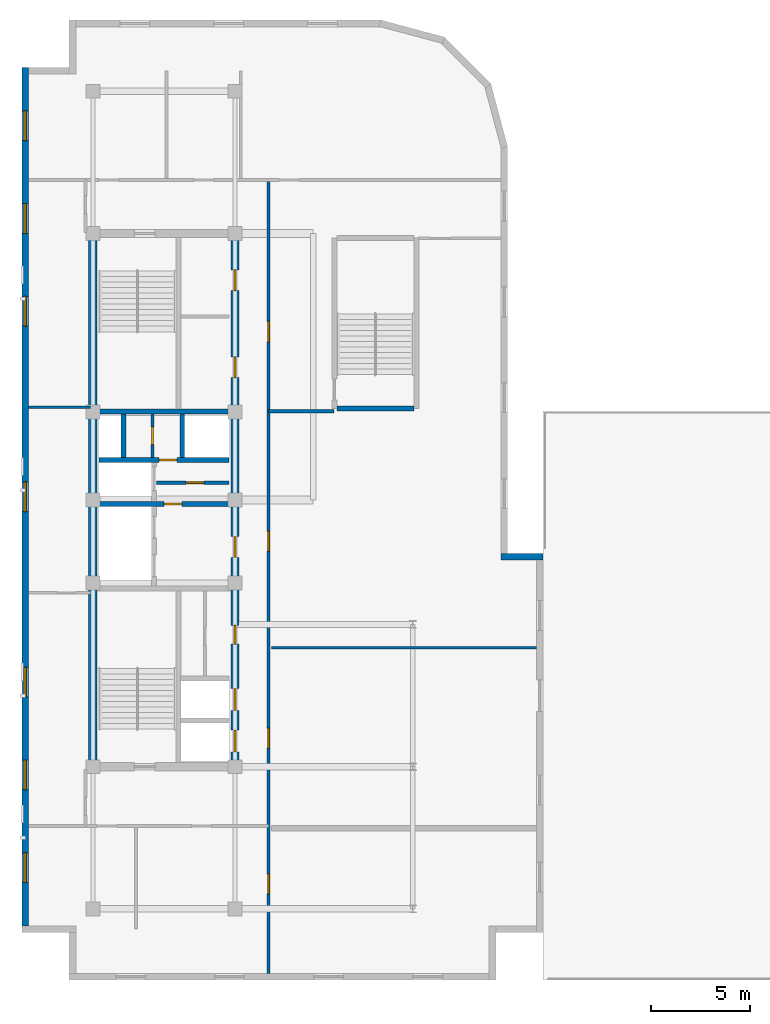
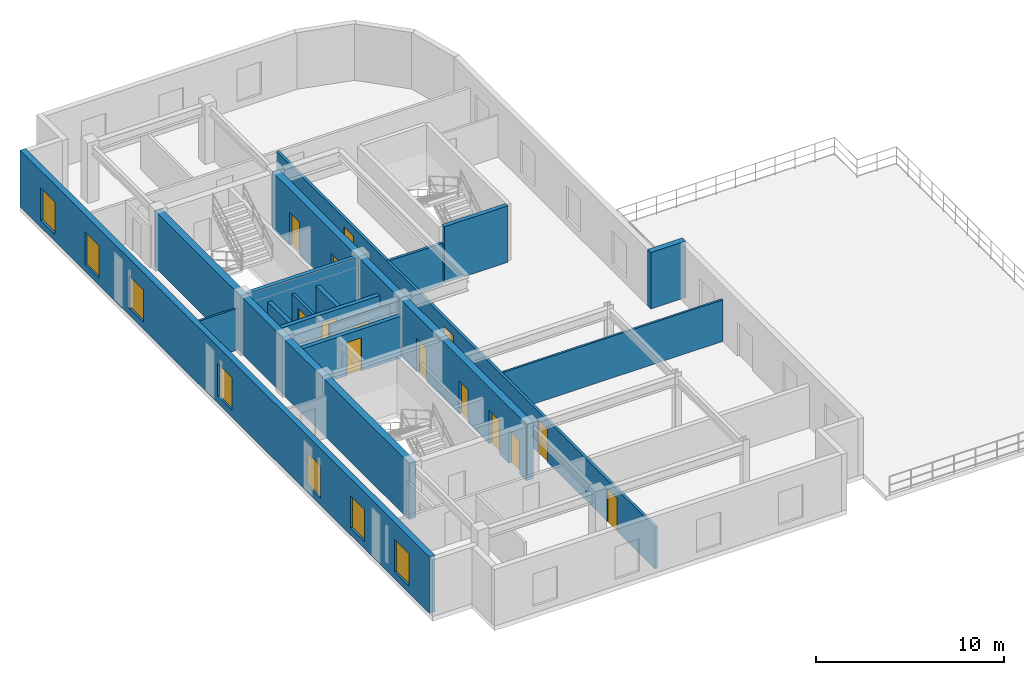
# One storey, part 3 of 7: 17 walls, 14 doors, 7 windows, 21 openings.
"""IFC4 building model written with IfcOpenShell, lengths in metres."""

import ifcopenshell
import ifcopenshell.guid

model = None  # the IFC model being written
_history = None  # IfcOwnerHistory: only IFC2X3 demands one
_inside = {}  # id of a spatial element -> (the spatial element, [elements in it])
_under = {}  # id of a project, library or spatial element -> (it, [spatial elements below it])
_declared = {}  # id of a project -> (the project, [libraries it declares])
_typed = {}  # id of a type object -> (the type object, [elements of that type])
_made_of = {}  # id of a material, layer set ... -> (it, [elements and type objects made of it])


def new_model(schema):
    """Start an empty IFC model of exactly this schema.

    Asked for "IFC4X3", IfcOpenShell would pick the latest addendum, in which some entities
    have other attributes; the version numbers below select the first issue.
    IFC2X3 requires an IfcOwnerHistory on every rooted entity: one is made here for all.
    """
    global model, _history
    if schema == "IFC4X3":
        model = ifcopenshell.file(schema_version=(4, 3, 0, 0))
    else:
        model = ifcopenshell.file(schema=schema)
    _inside.clear()
    _under.clear()
    _declared.clear()
    _typed.clear()
    _made_of.clear()
    _history = None
    if model.schema == "IFC2X3":
        org = make("IfcOrganization", Name="unknown")
        user = make(
            "IfcPersonAndOrganization",
            ThePerson=make("IfcPerson", FamilyName="unknown"),
            TheOrganization=org,
        )
        app = make(
            "IfcApplication",
            ApplicationDeveloper=org,
            Version="unknown",
            ApplicationFullName="unknown",
            ApplicationIdentifier="unknown",
        )
        _history = make(
            "IfcOwnerHistory",
            OwningUser=user,
            OwningApplication=app,
            ChangeAction="ADDED",
            CreationDate=0,
        )
    return model


def make(cls, **values):
    """One entity of the class cls with the attributes given. An attribute that is None is left unset."""
    return model.create_entity(
        cls, **{name: value for name, value in values.items() if value is not None}
    )


def entity(cls, *values):
    """Any entity or typed value of the class cls, its attributes in the order of the schema. None: left unset."""
    e = model.create_entity(cls)
    for i, value in enumerate(values):
        if value is not None:
            e[i] = value
    return e


def rooted(cls, **values):
    """An entity with a GlobalId (a new one), such as an element, a storey or a relation."""
    return make(cls, GlobalId=ifcopenshell.guid.new(), OwnerHistory=_history, **values)


def si_unit(unit_type, name, prefix=None):
    """IfcSIUnit, for example si_unit("LENGTHUNIT", "METRE", prefix="MILLI")."""
    return make("IfcSIUnit", UnitType=unit_type, Prefix=prefix, Name=name)


def converted_unit(unit_type, name, factor, base, dimensions=None, offset=None):
    """IfcConversionBasedUnit, such as the inch: factor (a typed value) times the base unit."""
    return make(
        "IfcConversionBasedUnit"
        if offset is None
        else "IfcConversionBasedUnitWithOffset",
        ConversionOffset=offset,
        Dimensions=None
        if dimensions is None
        else entity("IfcDimensionalExponents", *dimensions),
        UnitType=unit_type,
        Name=name,
        ConversionFactor=make(
            "IfcMeasureWithUnit", ValueComponent=factor, UnitComponent=base
        ),
    )


def assignment(units):
    """IfcUnitAssignment: the units of a project."""
    return None if units is None else make("IfcUnitAssignment", Units=units)


def point(xyz):
    """IfcCartesianPoint."""
    return None if xyz is None else make("IfcCartesianPoint", Coordinates=xyz)


def direction(xyz):
    """IfcDirection."""
    return None if xyz is None else make("IfcDirection", DirectionRatios=xyz)


def frame(location, z_axis=None, x_axis=None):
    """IfcAxis2Placement3D, a coordinate frame: its origin and axes. An axis left out is left unset."""
    return make(
        "IfcAxis2Placement3D",
        Location=point(location),
        Axis=direction(z_axis),
        RefDirection=direction(x_axis),
    )


def frame_2d(location, x_axis=None):
    """IfcAxis2Placement2D, a coordinate frame in the plane: its origin and x axis."""
    return make(
        "IfcAxis2Placement2D", Location=point(location), RefDirection=direction(x_axis)
    )


def origin_with_axes():
    """The frame at (0, 0, 0) with the z axis (0, 0, 1) and the x axis (1, 0, 0) written out."""
    return frame((0.0, 0.0, 0.0), z_axis=(0.0, 0.0, 1.0), x_axis=(1.0, 0.0, 0.0))


def origin_2d_with_axis():
    """The frame at (0, 0) in the plane with the x axis (1, 0) written out."""
    return frame_2d((0.0, 0.0), x_axis=(1.0, 0.0))


def place(relative_to, where):
    """IfcLocalPlacement: puts the frame where relative to a parent placement (None: the world)."""
    return make(
        "IfcLocalPlacement", PlacementRelTo=relative_to, RelativePlacement=where
    )


def context(
    kind, dimensions, precision=None, world=None, true_north=None, identifier=None
):
    """IfcGeometricRepresentationContext, for example the 3D "Model" context."""
    return make(
        "IfcGeometricRepresentationContext",
        ContextIdentifier=identifier,
        ContextType=kind,
        CoordinateSpaceDimension=dimensions,
        Precision=precision,
        WorldCoordinateSystem=world,
        TrueNorth=true_north,
    )


def subcontext(parent, identifier, kind, view, scale=None):
    """IfcGeometricRepresentationSubContext, for example "Body" below "Model"."""
    return make(
        "IfcGeometricRepresentationSubContext",
        ContextIdentifier=identifier,
        ContextType=kind,
        ParentContext=parent,
        TargetScale=scale,
        TargetView=view,
    )


def project(units=None, contexts=None):
    """IfcProject with its units and contexts."""
    return rooted(
        "IfcProject",
        Name="project",
        RepresentationContexts=contexts,
        UnitsInContext=assignment(units),
    )


def spatial(cls, under=None, at=None, **own):
    """A site, building, storey or space (cls), placed at a placement, below another one or the project."""
    s = rooted(cls, ObjectPlacement=at, **own)
    if under is not None:
        _under.setdefault(under.id(), (under, []))[1].append(s)
    return s


def polyline(points):
    """IfcPolyline through the points."""
    return make("IfcPolyline", Points=[point(p) for p in points])


def profile(cls, at=None, kind="AREA", **sizes):
    """A parametric profile (cls). Its sizes go by their IFC names, for example OverallWidth=200.0."""
    return make(cls, ProfileType=kind, Position=at, **sizes)


def rectangle(**sizes):
    """IfcRectangleProfileDef."""
    return profile("IfcRectangleProfileDef", **sizes)


def outline(outer, holes=None, kind="AREA"):
    """IfcArbitraryClosedProfileDef: a profile drawn as a closed curve; with holes, ...WithVoids."""
    if holes is None:
        return make("IfcArbitraryClosedProfileDef", ProfileType=kind, OuterCurve=outer)
    return make(
        "IfcArbitraryProfileDefWithVoids",
        ProfileType=kind,
        OuterCurve=outer,
        InnerCurves=holes,
    )


def extrude(swept, where, along, depth):
    """IfcExtrudedAreaSolid: the profile swept, set in the frame where, extruded along a direction by depth."""
    return make(
        "IfcExtrudedAreaSolid",
        SweptArea=swept,
        Position=where,
        ExtrudedDirection=direction(along),
        Depth=depth,
    )


def shape(context_of_items, identifier, shape_type, items):
    """IfcShapeRepresentation: the items that make up one representation, for example the "Body"."""
    return make(
        "IfcShapeRepresentation",
        ContextOfItems=context_of_items,
        RepresentationIdentifier=identifier,
        RepresentationType=shape_type,
        Items=items,
    )


def material(Name=None, Category=None):
    """IfcMaterial."""
    return make("IfcMaterial", Name=Name, Category=Category)


def layer(
    of_material, thickness, ventilated=None, Name=None, Category=None, Priority=None
):
    """IfcMaterialLayer: one layer of a wall or slab, of a material (None: an air gap)."""
    return make(
        "IfcMaterialLayer",
        Material=of_material,
        LayerThickness=thickness,
        IsVentilated=ventilated,
        Name=Name,
        Category=Category,
        Priority=Priority,
    )


def layer_set(layers, Name=None):
    """IfcMaterialLayerSet."""
    return make("IfcMaterialLayerSet", MaterialLayers=layers, LayerSetName=Name)


def made_of(thing, what):
    """Note that an element or type object is made of a material, layer set ...; save() writes the relation."""
    if what is not None:
        _made_of.setdefault(what.id(), (what, []))[1].append(thing)
    return thing


def type_object(cls, material=None, **own):
    """A type object (cls), such as IfcWallType, which elements share."""
    return made_of(rooted(cls, **own), material)


def element(
    cls,
    number,
    at=None,
    inside=None,
    cuts=None,
    type_object=None,
    material=None,
    context=None,
    identifier="Body",
    shape_type=None,
    held_by="IfcProductDefinitionShape",
    body=None,
    shapes=None,
    **own,
):
    """One element of the class cls, such as IfcWall. Its Tag is "e" and its number.

    at: its placement. inside: the storey or other place that contains it. cuts: it is an
    opening in that element (IfcRelVoidsElement). A single representation is given by context,
    identifier, shape_type and body (its items); several are given by shapes. held_by: the class
    of the entity that holds the representations. save() writes the other relations.
    """
    e = rooted(cls, Tag="e%d" % number, ObjectPlacement=at, **own)
    if body is not None:
        shapes = [shape(context, identifier, shape_type, body)]
    if shapes is not None:
        e.Representation = make(held_by, Representations=shapes)
    if inside is not None:
        _inside.setdefault(inside.id(), (inside, []))[1].append(e)
    if cuts is not None:
        rooted(
            "IfcRelVoidsElement", RelatingBuildingElement=cuts, RelatedOpeningElement=e
        )
    if type_object is not None:
        _typed.setdefault(type_object.id(), (type_object, []))[1].append(e)
    return made_of(e, material)


def fill(opening, filler):
    """IfcRelFillsElement: the door or window that sits in an opening."""
    return rooted(
        "IfcRelFillsElement",
        RelatingOpeningElement=opening,
        RelatedBuildingElement=filler,
    )


def aggregate(whole, parts):
    """IfcRelAggregates: a whole, such as a stair, and the parts it consists of."""
    return rooted("IfcRelAggregates", RelatingObject=whole, RelatedObjects=parts)


def save(model, path):
    """Write the relations noted so far, then the file.

    IfcRelAggregates (storeys below a building ...), IfcRelContainedInSpatialStructure (elements
    in a storey), IfcRelDefinesByType, IfcRelAssociatesMaterial and IfcRelDeclares: one each for
    every whole, place, type object, material and project.
    """
    for whole, parts in _under.values():
        aggregate(whole, parts)
    for where, things in _inside.values():
        rooted(
            "IfcRelContainedInSpatialStructure",
            RelatedElements=things,
            RelatingStructure=where,
        )
    for kind, things in _typed.values():
        rooted("IfcRelDefinesByType", RelatedObjects=things, RelatingType=kind)
    for what, things in _made_of.values():
        rooted("IfcRelAssociatesMaterial", RelatedObjects=things, RelatingMaterial=what)
    for by, libraries in _declared.values():
        rooted("IfcRelDeclares", RelatingContext=by, RelatedDefinitions=libraries)
    model.write(path)


model = new_model("IFC4")

# Units and contexts
model_context = context("Model", 3, precision=1e-05, world=origin_with_axes(), true_north=direction((0.0, 1.0)))
body_context = subcontext(model_context, "Body", "Model", "MODEL_VIEW")
ifc_project = project(units=[si_unit("LENGTHUNIT", "METRE"), si_unit("AREAUNIT", "SQUARE_METRE"), si_unit("VOLUMEUNIT", "CUBIC_METRE"), converted_unit("PLANEANGLEUNIT", "DEGREE", entity("IfcPlaneAngleMeasure", 0.017453292519943295), si_unit("PLANEANGLEUNIT", "RADIAN"), dimensions=[0, 0, 0, 0, 0, 0, 0]), si_unit("MASSUNIT", "GRAM", prefix="KILO"), si_unit("THERMODYNAMICTEMPERATUREUNIT", "KELVIN")], contexts=[model_context])

# Site, building, storey
site_placement = place(None, origin_with_axes())
site = spatial("IfcSite", under=ifc_project, at=site_placement, CompositionType="ELEMENT")
building_placement = place(site_placement, origin_with_axes())
building = spatial("IfcBuilding", under=site, at=building_placement, Name="Varnlund Millrace Tower", CompositionType="ELEMENT")
storey_placement = place(building_placement, frame((0.0, 0.0, 288.0), z_axis=(0.0, 0.0, 1.0), x_axis=(1.0, 0.0, 0.0)))
storey = spatial("IfcBuildingStorey", under=building, at=storey_placement, Name="L71", CompositionType="ELEMENT", Elevation=288.0)

# Wall
ifc_material_1 = material(Name="Concrete C60/75", Category="concrete")
ifc_layer_1 = layer(ifc_material_1, 0.42, Name="Concrete C60/75")
ifc_layer_set_1 = layer_set([ifc_layer_1], Name="Concrete C60/75")
wall_type_1 = type_object("IfcWallType", Name="Type-CoreWall-Shear-420-C60", PredefinedType="SHEAR", material=ifc_layer_set_1)
wall_1_placement = place(storey_placement, frame((11.4, 10.8, 0.0), z_axis=(0.0, 0.0, 1.0), x_axis=(0.0, 1.0, 0.0)))
element("IfcWall", 1, at=wall_1_placement, inside=storey, type_object=wall_type_1, Name="Type-CoreWall-Shear-420-C60", PredefinedType="SHEAR", context=body_context, shape_type="SweptSolid", body=[
    extrude(outline(polyline([(0.0, -0.21), (27.0, -0.21), (27.0, 0.21), (0.0, 0.21), (0.0, -0.21)])), origin_with_axes(), (0.0, 0.0, 1.0), 3.66),
])

# Wall, openings, doors
wall_2_placement = place(storey_placement, frame((18.6, 10.8, 0.0), z_axis=(0.0, 0.0, 1.0), x_axis=(0.0, 1.0, 0.0)))
wall_2 = element("IfcWall", 2, at=wall_2_placement, inside=storey, type_object=wall_type_1, Name="Type-CoreWall-Shear-420-C60", PredefinedType="SHEAR", context=body_context, shape_type="SweptSolid", body=[
    extrude(outline(polyline([(0.0, -0.21), (13.5, -0.21), (13.5, 0.21), (0.0, 0.21), (0.0, -0.21)])), origin_with_axes(), (0.0, 0.0, 1.0), 3.66),
])
opening_1_placement = place(wall_2_placement, frame((1.3, 0.0, 0.0), z_axis=(0.0, 0.0, 1.0), x_axis=(1.0, 0.0, 0.0)))
opening_1 = element("IfcOpeningElement", 3, at=opening_1_placement, cuts=wall_2, Name="Opening L71:LD-ELV-H1", PredefinedType="OPENING", context=body_context, shape_type="SweptSolid", body=[
    extrude(rectangle(XDim=1.1, YDim=0.44, at=origin_2d_with_axis()), origin_with_axes(), (0.0, 0.0, 1.0), 2.15),
])
opening_2_placement = place(wall_2_placement, frame((3.4, 0.0, 0.0), z_axis=(0.0, 0.0, 1.0), x_axis=(1.0, 0.0, 0.0)))
opening_2 = element("IfcOpeningElement", 4, at=opening_2_placement, cuts=wall_2, Name="Opening L71:LD-ELV-H2", PredefinedType="OPENING", context=body_context, shape_type="SweptSolid", body=[
    extrude(rectangle(XDim=1.1, YDim=0.44, at=origin_2d_with_axis()), origin_with_axes(), (0.0, 0.0, 1.0), 2.15),
])
opening_3_placement = place(wall_2_placement, frame((11.125, 0.0, 0.0), z_axis=(0.0, 0.0, 1.0), x_axis=(1.0, 0.0, 0.0)))
opening_3 = element("IfcOpeningElement", 5, at=opening_3_placement, cuts=wall_2, Name="Opening L71:DR-FFLOB-A", PredefinedType="OPENING", context=body_context, shape_type="SweptSolid", body=[
    extrude(rectangle(XDim=1.05, YDim=0.44, at=origin_2d_with_axis()), origin_with_axes(), (0.0, 0.0, 1.0), 2.15),
])
opening_4_placement = place(wall_2_placement, frame((6.675, 0.0, 0.0), z_axis=(0.0, 0.0, 1.0), x_axis=(1.0, 0.0, 0.0)))
opening_4 = element("IfcOpeningElement", 6, at=opening_4_placement, cuts=wall_2, Name="Opening L71:DR-RECL-S1B2", PredefinedType="OPENING", context=body_context, shape_type="SweptSolid", body=[
    extrude(rectangle(XDim=0.95, YDim=0.44, at=origin_2d_with_axis()), origin_with_axes(), (0.0, 0.0, 1.0), 2.15),
])
ifc_material_2 = material(Name="Smoke-barrier hollow steel fire door", Category="steel")
door_type_1 = type_object("IfcDoorType", Name="Type-FireDoor-Lobby-1050X2150", OperationType="NOTDEFINED", PredefinedType="DOOR", material=ifc_material_2)
door_1_placement = place(wall_2_placement, frame((11.125, 0.0, 0.0), z_axis=(0.0, 0.0, 1.0), x_axis=(1.0, 0.0, 0.0)))
door_1 = element("IfcDoor", 7, at=door_1_placement, inside=storey, type_object=door_type_1, Name="Type-FireDoor-Lobby-1050X2150", OperationType="SINGLE_SWING_LEFT", OverallHeight=2.15, OverallWidth=1.05, PredefinedType="DOOR", context=body_context, shape_type="SweptSolid", body=[
    extrude(rectangle(XDim=1.05, YDim=0.09, at=origin_2d_with_axis()), origin_with_axes(), (0.0, 0.0, 1.0), 2.15),
])
fill(opening_3, door_1)
ifc_material_3 = material(Name="Fire-rated hollow steel core service door", Category="steel")
door_type_2 = type_object("IfcDoorType", Name="Type-FireDoor-Service-950X2150", OperationType="NOTDEFINED", PredefinedType="DOOR", material=ifc_material_3)
door_2_placement = place(wall_2_placement, frame((6.675, 0.0, 0.0), z_axis=(0.0, 0.0, 1.0), x_axis=(1.0, 0.0, 0.0)))
door_2 = element("IfcDoor", 8, at=door_2_placement, inside=storey, type_object=door_type_2, Name="Type-FireDoor-Service-950X2150", OperationType="SINGLE_SWING_RIGHT", OverallHeight=2.15, OverallWidth=0.95, PredefinedType="DOOR", context=body_context, shape_type="SweptSolid", body=[
    extrude(rectangle(XDim=0.95, YDim=0.09, at=origin_2d_with_axis()), origin_with_axes(), (0.0, 0.0, 1.0), 2.15),
])
fill(opening_4, door_2)
ifc_material_4 = material(Name="Stainless and architectural bronze sliding landing door")
door_type_3 = type_object("IfcDoorType", Name="Type-LiftLandingDoor-1100X2150", OperationType="NOTDEFINED", PredefinedType="DOOR", material=ifc_material_4)
door_3_placement = place(wall_2_placement, frame((1.3, 0.0, 0.0), z_axis=(0.0, 0.0, 1.0), x_axis=(1.0, 0.0, 0.0)))
door_3 = element("IfcDoor", 9, at=door_3_placement, inside=storey, type_object=door_type_3, Name="Type-LiftLandingDoor-1100X2150", OperationType="SLIDING_TO_LEFT", OverallHeight=2.15, OverallWidth=1.1, PredefinedType="DOOR", context=body_context, shape_type="SweptSolid", body=[
    extrude(rectangle(XDim=1.1, YDim=0.09, at=origin_2d_with_axis()), origin_with_axes(), (0.0, 0.0, 1.0), 2.15),
])
fill(opening_1, door_3)
door_4_placement = place(wall_2_placement, frame((3.4, 0.0, 0.0), z_axis=(0.0, 0.0, 1.0), x_axis=(1.0, 0.0, 0.0)))
door_4 = element("IfcDoor", 10, at=door_4_placement, inside=storey, type_object=door_type_3, Name="Type-LiftLandingDoor-1100X2150", OperationType="SLIDING_TO_RIGHT", OverallHeight=2.15, OverallWidth=1.1, PredefinedType="DOOR", context=body_context, shape_type="SweptSolid", body=[
    extrude(rectangle(XDim=1.1, YDim=0.09, at=origin_2d_with_axis()), origin_with_axes(), (0.0, 0.0, 1.0), 2.15),
])
fill(opening_2, door_4)

wall_3_placement = place(storey_placement, frame((18.6, 24.3, 0.0), z_axis=(0.0, 0.0, 1.0), x_axis=(0.0, 1.0, 0.0)))
wall_3 = element("IfcWall", 11, at=wall_3_placement, inside=storey, type_object=wall_type_1, Name="Type-CoreWall-Shear-420-C60", PredefinedType="SHEAR", context=body_context, shape_type="SweptSolid", body=[
    extrude(outline(polyline([(0.0, -0.21), (13.5, -0.21), (13.5, 0.21), (0.0, 0.21), (0.0, -0.21)])), origin_with_axes(), (0.0, 0.0, 1.0), 3.66),
])
opening_5_placement = place(wall_3_placement, frame((6.725, 0.0, 0.0), z_axis=(0.0, 0.0, 1.0), x_axis=(1.0, 0.0, 0.0)))
opening_5 = element("IfcOpeningElement", 12, at=opening_5_placement, cuts=wall_3, Name="Opening L71:DR-RECL-M1", PredefinedType="OPENING", context=body_context, shape_type="SweptSolid", body=[
    extrude(rectangle(XDim=1.05, YDim=0.44, at=origin_2d_with_axis()), origin_with_axes(), (0.0, 0.0, 1.0), 2.15),
])
opening_6_placement = place(wall_3_placement, frame((11.125, 0.0, 0.0), z_axis=(0.0, 0.0, 1.0), x_axis=(1.0, 0.0, 0.0)))
opening_6 = element("IfcOpeningElement", 13, at=opening_6_placement, cuts=wall_3, Name="Opening L71:DR-RECL-M2", PredefinedType="OPENING", context=body_context, shape_type="SweptSolid", body=[
    extrude(rectangle(XDim=1.05, YDim=0.44, at=origin_2d_with_axis()), origin_with_axes(), (0.0, 0.0, 1.0), 2.15),
])
door_5_placement = place(wall_3_placement, frame((6.725, 0.0, 0.0), z_axis=(0.0, 0.0, 1.0), x_axis=(1.0, 0.0, 0.0)))
door_5 = element("IfcDoor", 14, at=door_5_placement, inside=storey, type_object=door_type_1, Name="Type-FireDoor-Lobby-1050X2150", OperationType="SINGLE_SWING_LEFT", OverallHeight=2.15, OverallWidth=1.05, PredefinedType="DOOR", context=body_context, shape_type="SweptSolid", body=[
    extrude(rectangle(XDim=1.05, YDim=0.09, at=origin_2d_with_axis()), origin_with_axes(), (0.0, 0.0, 1.0), 2.15),
])
fill(opening_5, door_5)
door_6_placement = place(wall_3_placement, frame((11.125, 0.0, 0.0), z_axis=(0.0, 0.0, 1.0), x_axis=(1.0, 0.0, 0.0)))
door_6 = element("IfcDoor", 15, at=door_6_placement, inside=storey, type_object=door_type_1, Name="Type-FireDoor-Lobby-1050X2150", OperationType="SINGLE_SWING_RIGHT", OverallHeight=2.15, OverallWidth=1.05, PredefinedType="DOOR", context=body_context, shape_type="SweptSolid", body=[
    extrude(rectangle(XDim=1.05, YDim=0.09, at=origin_2d_with_axis()), origin_with_axes(), (0.0, 0.0, 1.0), 2.15),
])
fill(opening_6, door_6)

# Wall, openings, windows
ifc_material_5 = material(Name="Precast concrete C50/60", Category="concrete")
ifc_layer_2 = layer(ifc_material_5, 0.34, Name="Precast concrete C50/60")
ifc_layer_set_2 = layer_set([ifc_layer_2], Name="Precast concrete C50/60")
wall_type_2 = type_object("IfcWallType", Name="Type-ExtWall-Precast-Upper-340", PredefinedType="SOLIDWALL", material=ifc_layer_set_2)
wall_4_placement = place(storey_placement, frame((7.97, 2.74, 0.0), z_axis=(0.0, 0.0, 1.0), x_axis=(0.0, 1.0, 0.0)))
wall_4 = element("IfcWall", 16, at=wall_4_placement, inside=storey, type_object=wall_type_2, Name="Type-ExtWall-Precast-Upper-340", PredefinedType="SOLIDWALL", context=body_context, shape_type="SweptSolid", body=[
    extrude(outline(polyline([(0.0, -0.17), (43.46, -0.17), (43.46, 0.17), (0.0, 0.17), (0.0, -0.17)])), origin_with_axes(), (0.0, 0.0, 1.0), 3.66),
])
opening_7_placement = place(wall_4_placement, frame((2.948, 0.0, 0.45), z_axis=(0.0, 0.0, 1.0), x_axis=(1.0, 0.0, 0.0)))
opening_7 = element("IfcOpeningElement", 17, at=opening_7_placement, cuts=wall_4, Name="Opening L71:WN-05", PredefinedType="OPENING", context=body_context, shape_type="SweptSolid", body=[
    extrude(rectangle(XDim=1.5, YDim=0.36, at=origin_2d_with_axis()), origin_with_axes(), (0.0, 0.0, 1.0), 2.1),
])
opening_8_placement = place(wall_4_placement, frame((7.643, 0.0, 0.45), z_axis=(0.0, 0.0, 1.0), x_axis=(1.0, 0.0, 0.0)))
opening_8 = element("IfcOpeningElement", 18, at=opening_8_placement, cuts=wall_4, Name="Opening L71:WN-06", PredefinedType="OPENING", context=body_context, shape_type="SweptSolid", body=[
    extrude(rectangle(XDim=1.5, YDim=0.36, at=origin_2d_with_axis()), origin_with_axes(), (0.0, 0.0, 1.0), 2.1),
])
opening_9_placement = place(wall_4_placement, frame((12.339, 0.0, 0.45), z_axis=(0.0, 0.0, 1.0), x_axis=(1.0, 0.0, 0.0)))
opening_9 = element("IfcOpeningElement", 19, at=opening_9_placement, cuts=wall_4, Name="Opening L71:WN-07", PredefinedType="OPENING", context=body_context, shape_type="SweptSolid", body=[
    extrude(rectangle(XDim=1.5, YDim=0.36, at=origin_2d_with_axis()), origin_with_axes(), (0.0, 0.0, 1.0), 2.1),
])
opening_10_placement = place(wall_4_placement, frame((21.73, 0.0, 0.45), z_axis=(0.0, 0.0, 1.0), x_axis=(1.0, 0.0, 0.0)))
opening_10 = element("IfcOpeningElement", 20, at=opening_10_placement, cuts=wall_4, Name="Opening L71:WN-08", PredefinedType="OPENING", context=body_context, shape_type="SweptSolid", body=[
    extrude(rectangle(XDim=1.5, YDim=0.36, at=origin_2d_with_axis()), origin_with_axes(), (0.0, 0.0, 1.0), 2.1),
])
opening_11_placement = place(wall_4_placement, frame((31.121, 0.0, 0.45), z_axis=(0.0, 0.0, 1.0), x_axis=(1.0, 0.0, 0.0)))
opening_11 = element("IfcOpeningElement", 21, at=opening_11_placement, cuts=wall_4, Name="Opening L71:WN-09", PredefinedType="OPENING", context=body_context, shape_type="SweptSolid", body=[
    extrude(rectangle(XDim=1.5, YDim=0.36, at=origin_2d_with_axis()), origin_with_axes(), (0.0, 0.0, 1.0), 2.1),
])
opening_12_placement = place(wall_4_placement, frame((35.817, 0.0, 0.45), z_axis=(0.0, 0.0, 1.0), x_axis=(1.0, 0.0, 0.0)))
opening_12 = element("IfcOpeningElement", 22, at=opening_12_placement, cuts=wall_4, Name="Opening L71:WN-10", PredefinedType="OPENING", context=body_context, shape_type="SweptSolid", body=[
    extrude(rectangle(XDim=1.5, YDim=0.36, at=origin_2d_with_axis()), origin_with_axes(), (0.0, 0.0, 1.0), 2.1),
])
opening_13_placement = place(wall_4_placement, frame((40.512, 0.0, 0.45), z_axis=(0.0, 0.0, 1.0), x_axis=(1.0, 0.0, 0.0)))
opening_13 = element("IfcOpeningElement", 23, at=opening_13_placement, cuts=wall_4, Name="Opening L71:WN-11", PredefinedType="OPENING", context=body_context, shape_type="SweptSolid", body=[
    extrude(rectangle(XDim=1.5, YDim=0.36, at=origin_2d_with_axis()), origin_with_axes(), (0.0, 0.0, 1.0), 2.1),
])
ifc_material_6 = material(Name="Argon low-e triple glazing in thermally broken bronze frame", Category="glass")
window_type = type_object("IfcWindowType", Name="Type-Window-Punched-1500X2100", PartitioningType="SINGLE_PANEL", PredefinedType="WINDOW", material=ifc_material_6)
window_1_placement = place(wall_4_placement, frame((2.948, 0.0, 0.45), z_axis=(0.0, 0.0, 1.0), x_axis=(1.0, 0.0, 0.0)))
window_1 = element("IfcWindow", 24, at=window_1_placement, inside=storey, type_object=window_type, Name="Type-Window-Punched-1500X2100", OverallHeight=2.1, OverallWidth=1.5, PredefinedType="WINDOW", context=body_context, shape_type="SweptSolid", body=[
    extrude(rectangle(XDim=1.5, YDim=0.09, at=origin_2d_with_axis()), origin_with_axes(), (0.0, 0.0, 1.0), 2.1),
])
fill(opening_7, window_1)
window_2_placement = place(wall_4_placement, frame((7.643, 0.0, 0.45), z_axis=(0.0, 0.0, 1.0), x_axis=(1.0, 0.0, 0.0)))
window_2 = element("IfcWindow", 25, at=window_2_placement, inside=storey, type_object=window_type, Name="Type-Window-Punched-1500X2100", OverallHeight=2.1, OverallWidth=1.5, PredefinedType="WINDOW", context=body_context, shape_type="SweptSolid", body=[
    extrude(rectangle(XDim=1.5, YDim=0.09, at=origin_2d_with_axis()), origin_with_axes(), (0.0, 0.0, 1.0), 2.1),
])
fill(opening_8, window_2)
window_3_placement = place(wall_4_placement, frame((12.339, 0.0, 0.45), z_axis=(0.0, 0.0, 1.0), x_axis=(1.0, 0.0, 0.0)))
window_3 = element("IfcWindow", 26, at=window_3_placement, inside=storey, type_object=window_type, Name="Type-Window-Punched-1500X2100", OverallHeight=2.1, OverallWidth=1.5, PredefinedType="WINDOW", context=body_context, shape_type="SweptSolid", body=[
    extrude(rectangle(XDim=1.5, YDim=0.09, at=origin_2d_with_axis()), origin_with_axes(), (0.0, 0.0, 1.0), 2.1),
])
fill(opening_9, window_3)
window_4_placement = place(wall_4_placement, frame((21.73, 0.0, 0.45), z_axis=(0.0, 0.0, 1.0), x_axis=(1.0, 0.0, 0.0)))
window_4 = element("IfcWindow", 27, at=window_4_placement, inside=storey, type_object=window_type, Name="Type-Window-Punched-1500X2100", OverallHeight=2.1, OverallWidth=1.5, PredefinedType="WINDOW", context=body_context, shape_type="SweptSolid", body=[
    extrude(rectangle(XDim=1.5, YDim=0.09, at=origin_2d_with_axis()), origin_with_axes(), (0.0, 0.0, 1.0), 2.1),
])
fill(opening_10, window_4)
window_5_placement = place(wall_4_placement, frame((31.121, 0.0, 0.45), z_axis=(0.0, 0.0, 1.0), x_axis=(1.0, 0.0, 0.0)))
window_5 = element("IfcWindow", 28, at=window_5_placement, inside=storey, type_object=window_type, Name="Type-Window-Punched-1500X2100", OverallHeight=2.1, OverallWidth=1.5, PredefinedType="WINDOW", context=body_context, shape_type="SweptSolid", body=[
    extrude(rectangle(XDim=1.5, YDim=0.09, at=origin_2d_with_axis()), origin_with_axes(), (0.0, 0.0, 1.0), 2.1),
])
fill(opening_11, window_5)
window_6_placement = place(wall_4_placement, frame((35.817, 0.0, 0.45), z_axis=(0.0, 0.0, 1.0), x_axis=(1.0, 0.0, 0.0)))
window_6 = element("IfcWindow", 29, at=window_6_placement, inside=storey, type_object=window_type, Name="Type-Window-Punched-1500X2100", OverallHeight=2.1, OverallWidth=1.5, PredefinedType="WINDOW", context=body_context, shape_type="SweptSolid", body=[
    extrude(rectangle(XDim=1.5, YDim=0.09, at=origin_2d_with_axis()), origin_with_axes(), (0.0, 0.0, 1.0), 2.1),
])
fill(opening_12, window_6)
window_7_placement = place(wall_4_placement, frame((40.512, 0.0, 0.45), z_axis=(0.0, 0.0, 1.0), x_axis=(1.0, 0.0, 0.0)))
window_7 = element("IfcWindow", 30, at=window_7_placement, inside=storey, type_object=window_type, Name="Type-Window-Punched-1500X2100", OverallHeight=2.1, OverallWidth=1.5, PredefinedType="WINDOW", context=body_context, shape_type="SweptSolid", body=[
    extrude(rectangle(XDim=1.5, YDim=0.09, at=origin_2d_with_axis()), origin_with_axes(), (0.0, 0.0, 1.0), 2.1),
])
fill(opening_13, window_7)

# Wall
wall_5_placement = place(storey_placement, frame((32.06, 21.43, 0.0), z_axis=(0.0, 0.0, 1.0), x_axis=(1.0, 0.0, 0.0)))
element("IfcWall", 31, at=wall_5_placement, inside=storey, type_object=wall_type_2, Name="Type-ExtWall-Precast-Upper-340", PredefinedType="SOLIDWALL", context=body_context, shape_type="SweptSolid", body=[
    extrude(outline(polyline([(0.0, -0.17), (2.14, -0.17), (2.14, 0.17), (0.0, 0.17), (0.0, -0.17)])), origin_with_axes(), (0.0, 0.0, 1.0), 3.66),
])

# Wall, opening, door
ifc_material_7 = material(Name="Fire-rated gypsum board on cold-formed steel framing", Category="steel")
ifc_layer_3 = layer(ifc_material_7, 0.16, Name="Fire-rated gypsum board on cold-formed steel framing")
ifc_layer_set_3 = layer_set([ifc_layer_3], Name="Fire-rated gypsum board on cold-formed steel framing")
wall_type_3 = type_object("IfcWallType", Name="Type-Partition-Corridor-160", PredefinedType="PARTITIONING", material=ifc_layer_set_3)
wall_6_placement = place(storey_placement, frame((14.62, 25.18, 0.0), z_axis=(0.0, 0.0, 1.0), x_axis=(1.0, 0.0, 0.0)))
wall_6 = element("IfcWall", 32, at=wall_6_placement, inside=storey, type_object=wall_type_3, Name="Type-Partition-Corridor-160", PredefinedType="PARTITIONING", context=body_context, shape_type="SweptSolid", body=[
    extrude(outline(polyline([(0.0, -0.08), (3.68, -0.08), (3.68, 0.08), (0.0, 0.08), (0.0, -0.08)])), origin_with_axes(), (0.0, 0.0, 1.0), 2.7),
])
opening_14_placement = place(wall_6_placement, frame((1.95, 0.0, 0.0), z_axis=(0.0, 0.0, 1.0), x_axis=(1.0, 0.0, 0.0)))
opening_14 = element("IfcOpeningElement", 33, at=opening_14_placement, cuts=wall_6, Name="Opening L71:DR-CA-SUB2", PredefinedType="OPENING", context=body_context, shape_type="SweptSolid", body=[
    extrude(rectangle(XDim=0.9, YDim=0.18, at=origin_2d_with_axis()), origin_with_axes(), (0.0, 0.0, 1.0), 2.15),
])
ifc_material_8 = material(Name="Painted steel riser and closet door", Category="steel")
door_type_4 = type_object("IfcDoorType", Name="Type-IntDoor-Closet-900X2150", OperationType="NOTDEFINED", PredefinedType="DOOR", material=ifc_material_8)
door_7_placement = place(wall_6_placement, frame((1.95, 0.0, 0.0), z_axis=(0.0, 0.0, 1.0), x_axis=(1.0, 0.0, 0.0)))
door_7 = element("IfcDoor", 34, at=door_7_placement, inside=storey, type_object=door_type_4, Name="Type-IntDoor-Closet-900X2150", OperationType="SINGLE_SWING_LEFT", OverallHeight=2.15, OverallWidth=0.9, PredefinedType="DOOR", context=body_context, shape_type="SweptSolid", body=[
    extrude(rectangle(XDim=0.9, YDim=0.09, at=origin_2d_with_axis()), origin_with_axes(), (0.0, 0.0, 1.0), 2.15),
])
fill(opening_14, door_7)

wall_7_placement = place(storey_placement, frame((14.42, 26.45, 0.0), z_axis=(0.0, 0.0, 1.0), x_axis=(0.0, 1.0, 0.0)))
wall_7 = element("IfcWall", 35, at=wall_7_placement, inside=storey, type_object=wall_type_3, Name="Type-Partition-Corridor-160", PredefinedType="PARTITIONING", context=body_context, shape_type="SweptSolid", body=[
    extrude(outline(polyline([(0.0, -0.08), (2.2, -0.08), (2.2, 0.08), (0.0, 0.08), (0.0, -0.08)])), origin_with_axes(), (0.0, 0.0, 1.0), 2.7),
])
opening_15_placement = place(wall_7_placement, frame((1.1, 0.0, 0.0), z_axis=(0.0, 0.0, 1.0), x_axis=(1.0, 0.0, 0.0)))
opening_15 = element("IfcOpeningElement", 36, at=opening_15_placement, cuts=wall_7, Name="Opening L71:DR-CA-EL2", PredefinedType="OPENING", context=body_context, shape_type="SweptSolid", body=[
    extrude(rectangle(XDim=0.9, YDim=0.18, at=origin_2d_with_axis()), origin_with_axes(), (0.0, 0.0, 1.0), 2.15),
])
door_8_placement = place(wall_7_placement, frame((1.1, 0.0, 0.0), z_axis=(0.0, 0.0, 1.0), x_axis=(1.0, 0.0, 0.0)))
door_8 = element("IfcDoor", 37, at=door_8_placement, inside=storey, type_object=door_type_4, Name="Type-IntDoor-Closet-900X2150", OperationType="SINGLE_SWING_LEFT", OverallHeight=2.15, OverallWidth=0.9, PredefinedType="DOOR", context=body_context, shape_type="SweptSolid", body=[
    extrude(rectangle(XDim=0.9, YDim=0.09, at=origin_2d_with_axis()), origin_with_axes(), (0.0, 0.0, 1.0), 2.15),
])
fill(opening_15, door_8)

# Wall, openings, doors
wall_8_placement = place(storey_placement, frame((20.3, 0.335, 0.0), z_axis=(0.0, 0.0, 1.0), x_axis=(0.0, 1.0, 0.0)))
wall_8 = element("IfcWall", 38, at=wall_8_placement, inside=storey, type_object=wall_type_3, Name="Type-Partition-Corridor-160", PredefinedType="PARTITIONING", context=body_context, shape_type="SweptSolid", body=[
    extrude(outline(polyline([(0.0, -0.08), (40.165, -0.08), (40.165, 0.08), (0.0, 0.08), (0.0, -0.08)])), origin_with_axes(), (0.0, 0.0, 1.0), 2.7),
])
opening_16_placement = place(wall_8_placement, frame((32.49, 0.0, 0.0), z_axis=(0.0, 0.0, 1.0), x_axis=(1.0, 0.0, 0.0)))
opening_16 = element("IfcOpeningElement", 39, at=opening_16_placement, cuts=wall_8, Name="Opening L71:DR-STA3-COR", PredefinedType="OPENING", context=body_context, shape_type="SweptSolid", body=[
    extrude(rectangle(XDim=1.05, YDim=0.18, at=origin_2d_with_axis()), origin_with_axes(), (0.0, 0.0, 1.0), 2.15),
])
opening_17_placement = place(wall_8_placement, frame((4.537, 0.0, 0.0), z_axis=(0.0, 0.0, 1.0), x_axis=(1.0, 0.0, 0.0)))
opening_17 = element("IfcOpeningElement", 40, at=opening_17_placement, cuts=wall_8, Name="Opening L71:DR-SUM-01", PredefinedType="OPENING", context=body_context, shape_type="SweptSolid", body=[
    extrude(rectangle(XDim=1.0, YDim=0.18, at=origin_2d_with_axis()), origin_with_axes(), (0.0, 0.0, 1.0), 2.15),
])
opening_18_placement = place(wall_8_placement, frame((11.9105, 0.0, 0.0), z_axis=(0.0, 0.0, 1.0), x_axis=(1.0, 0.0, 0.0)))
opening_18 = element("IfcOpeningElement", 41, at=opening_18_placement, cuts=wall_8, Name="Opening L71:DR-SUM-02", PredefinedType="OPENING", context=body_context, shape_type="SweptSolid", body=[
    extrude(rectangle(XDim=1.0, YDim=0.18, at=origin_2d_with_axis()), origin_with_axes(), (0.0, 0.0, 1.0), 2.15),
])
opening_19_placement = place(wall_8_placement, frame((21.874, 0.0, 0.0), z_axis=(0.0, 0.0, 1.0), x_axis=(1.0, 0.0, 0.0)))
opening_19 = element("IfcOpeningElement", 42, at=opening_19_placement, cuts=wall_8, Name="Opening L71:DR-SUM-03", PredefinedType="OPENING", context=body_context, shape_type="SweptSolid", body=[
    extrude(rectangle(XDim=1.0, YDim=0.18, at=origin_2d_with_axis()), origin_with_axes(), (0.0, 0.0, 1.0), 2.15),
])
door_9_placement = place(wall_8_placement, frame((32.49, 0.0, 0.0), z_axis=(0.0, 0.0, 1.0), x_axis=(1.0, 0.0, 0.0)))
door_9 = element("IfcDoor", 43, at=door_9_placement, inside=storey, type_object=door_type_1, Name="Type-FireDoor-Lobby-1050X2150", OperationType="SINGLE_SWING_LEFT", OverallHeight=2.15, OverallWidth=1.05, PredefinedType="DOOR", context=body_context, shape_type="SweptSolid", body=[
    extrude(rectangle(XDim=1.05, YDim=0.09, at=origin_2d_with_axis()), origin_with_axes(), (0.0, 0.0, 1.0), 2.15),
])
fill(opening_16, door_9)
ifc_material_9 = material(Name="Solid-core white oak and bronze frame door")
door_type_5 = type_object("IfcDoorType", Name="Type-IntDoor-Office-1000X2150", OperationType="NOTDEFINED", PredefinedType="DOOR", material=ifc_material_9)
door_10_placement = place(wall_8_placement, frame((4.537, 0.0, 0.0), z_axis=(0.0, 0.0, 1.0), x_axis=(1.0, 0.0, 0.0)))
door_10 = element("IfcDoor", 44, at=door_10_placement, inside=storey, type_object=door_type_5, Name="Type-IntDoor-Office-1000X2150", OperationType="SINGLE_SWING_LEFT", OverallHeight=2.15, OverallWidth=1.0, PredefinedType="DOOR", context=body_context, shape_type="SweptSolid", body=[
    extrude(rectangle(XDim=1.0, YDim=0.09, at=origin_2d_with_axis()), origin_with_axes(), (0.0, 0.0, 1.0), 2.15),
])
fill(opening_17, door_10)
door_11_placement = place(wall_8_placement, frame((11.9105, 0.0, 0.0), z_axis=(0.0, 0.0, 1.0), x_axis=(1.0, 0.0, 0.0)))
door_11 = element("IfcDoor", 45, at=door_11_placement, inside=storey, type_object=door_type_5, Name="Type-IntDoor-Office-1000X2150", OperationType="SINGLE_SWING_RIGHT", OverallHeight=2.15, OverallWidth=1.0, PredefinedType="DOOR", context=body_context, shape_type="SweptSolid", body=[
    extrude(rectangle(XDim=1.0, YDim=0.09, at=origin_2d_with_axis()), origin_with_axes(), (0.0, 0.0, 1.0), 2.15),
])
fill(opening_18, door_11)
door_12_placement = place(wall_8_placement, frame((21.874, 0.0, 0.0), z_axis=(0.0, 0.0, 1.0), x_axis=(1.0, 0.0, 0.0)))
door_12 = element("IfcDoor", 46, at=door_12_placement, inside=storey, type_object=door_type_5, Name="Type-IntDoor-Office-1000X2150", OperationType="SINGLE_SWING_LEFT", OverallHeight=2.15, OverallWidth=1.0, PredefinedType="DOOR", context=body_context, shape_type="SweptSolid", body=[
    extrude(rectangle(XDim=1.0, YDim=0.09, at=origin_2d_with_axis()), origin_with_axes(), (0.0, 0.0, 1.0), 2.15),
])
fill(opening_19, door_12)

# Walls
wall_9_placement = place(storey_placement, frame((20.3, 28.8, 0.0), z_axis=(0.0, 0.0, 1.0), x_axis=(1.0, 0.0, 0.0)))
element("IfcWall", 47, at=wall_9_placement, inside=storey, type_object=wall_type_3, Name="Type-Partition-Corridor-160", PredefinedType="PARTITIONING", context=body_context, shape_type="SweptSolid", body=[
    extrude(outline(polyline([(0.0, -0.08), (3.32, -0.08), (3.32, 0.08), (0.0, 0.08), (0.0, -0.08)])), origin_with_axes(), (0.0, 0.0, 1.0), 2.7),
])
ifc_material_10 = material(Name="Gypsum board tenant partition", Category="gypsum")
ifc_layer_4 = layer(ifc_material_10, 0.125, Name="Gypsum board tenant partition")
ifc_layer_set_4 = layer_set([ifc_layer_4], Name="Gypsum board tenant partition")
wall_type_4 = type_object("IfcWallType", Name="Type-Partition-Tenant-125", PredefinedType="PARTITIONING", material=ifc_layer_set_4)
wall_10_placement = place(storey_placement, frame((8.135, 29.0, 0.0), z_axis=(0.0, 0.0, 1.0), x_axis=(1.0, 0.0, 0.0)))
element("IfcWall", 48, at=wall_10_placement, inside=storey, type_object=wall_type_4, Name="Type-Partition-Tenant-125", PredefinedType="PARTITIONING", context=body_context, shape_type="SweptSolid", body=[
    extrude(outline(polyline([(0.0, -0.0625), (3.135, -0.0625), (3.135, 0.0625), (0.0, 0.0625), (0.0, -0.0625)])), origin_with_axes(), (0.0, 0.0, 1.0), 2.7),
])
wall_11_placement = place(storey_placement, frame((20.45, 16.818, 0.0), z_axis=(0.0, 0.0, 1.0), x_axis=(1.0, 0.0, 0.0)))
element("IfcWall", 49, at=wall_11_placement, inside=storey, type_object=wall_type_4, Name="Type-Partition-Tenant-125", PredefinedType="PARTITIONING", context=body_context, shape_type="SweptSolid", body=[
    extrude(outline(polyline([(0.0, -0.0625), (13.415, -0.0625), (13.415, 0.0625), (0.0, 0.0625), (0.0, -0.0625)])), origin_with_axes(), (0.0, 0.0, 1.0), 2.7),
])

# Wall, opening, door
ifc_layer_5 = layer(ifc_material_1, 0.25, Name="Concrete C60/75")
ifc_layer_set_5 = layer_set([ifc_layer_5], Name="Concrete C60/75")
wall_type_5 = type_object("IfcWallType", Name="Type-ShaftWall-Fire-250", PredefinedType="SOLIDWALL", material=ifc_layer_set_5)
wall_12_placement = place(storey_placement, frame((11.7, 24.1, 0.0), z_axis=(0.0, 0.0, 1.0), x_axis=(1.0, 0.0, 0.0)))
wall_12 = element("IfcWall", 50, at=wall_12_placement, inside=storey, type_object=wall_type_5, Name="Type-ShaftWall-Fire-250", PredefinedType="SOLIDWALL", context=body_context, shape_type="SweptSolid", body=[
    extrude(outline(polyline([(0.0, -0.125), (6.6, -0.125), (6.6, 0.125), (0.0, 0.125), (0.0, -0.125)])), origin_with_axes(), (0.0, 0.0, 1.0), 2.7),
])
opening_20_placement = place(wall_12_placement, frame((3.75, 0.0, 0.0), z_axis=(0.0, 0.0, 1.0), x_axis=(1.0, 0.0, 0.0)))
opening_20 = element("IfcOpeningElement", 51, at=opening_20_placement, cuts=wall_12, Name="Opening L71:DR-CA-SUB1", PredefinedType="OPENING", context=body_context, shape_type="SweptSolid", body=[
    extrude(rectangle(XDim=0.9, YDim=0.27, at=origin_2d_with_axis()), origin_with_axes(), (0.0, 0.0, 1.0), 2.15),
])
ifc_material_11 = material(Name="Fire-rated hollow steel service closet door", Category="steel")
door_type_6 = type_object("IfcDoorType", Name="Type-FireDoor-Closet-900X2150", OperationType="NOTDEFINED", PredefinedType="DOOR", material=ifc_material_11)
door_13_placement = place(wall_12_placement, frame((3.75, 0.0, 0.0), z_axis=(0.0, 0.0, 1.0), x_axis=(1.0, 0.0, 0.0)))
door_13 = element("IfcDoor", 52, at=door_13_placement, inside=storey, type_object=door_type_6, Name="Type-FireDoor-Closet-900X2150", OperationType="SINGLE_SWING_LEFT", OverallHeight=2.15, OverallWidth=0.9, PredefinedType="DOOR", context=body_context, shape_type="SweptSolid", body=[
    extrude(rectangle(XDim=0.9, YDim=0.09, at=origin_2d_with_axis()), origin_with_axes(), (0.0, 0.0, 1.0), 2.15),
])
fill(opening_20, door_13)

wall_13_placement = place(storey_placement, frame((11.7, 26.325, 0.0), z_axis=(0.0, 0.0, 1.0), x_axis=(1.0, 0.0, 0.0)))
wall_13 = element("IfcWall", 53, at=wall_13_placement, inside=storey, type_object=wall_type_5, Name="Type-ShaftWall-Fire-250", PredefinedType="SOLIDWALL", context=body_context, shape_type="SweptSolid", body=[
    extrude(outline(polyline([(0.0, -0.125), (6.6, -0.125), (6.6, 0.125), (0.0, 0.125), (0.0, -0.125)])), origin_with_axes(), (0.0, 0.0, 1.0), 2.7),
])
opening_21_placement = place(wall_13_placement, frame((3.5, 0.0, 0.0), z_axis=(0.0, 0.0, 1.0), x_axis=(1.0, 0.0, 0.0)))
opening_21 = element("IfcOpeningElement", 54, at=opening_21_placement, cuts=wall_13, Name="Opening L71:DR-CA-EL1", PredefinedType="OPENING", context=body_context, shape_type="SweptSolid", body=[
    extrude(rectangle(XDim=0.9, YDim=0.27, at=origin_2d_with_axis()), origin_with_axes(), (0.0, 0.0, 1.0), 2.15),
])
door_14_placement = place(wall_13_placement, frame((3.5, 0.0, 0.0), z_axis=(0.0, 0.0, 1.0), x_axis=(1.0, 0.0, 0.0)))
door_14 = element("IfcDoor", 55, at=door_14_placement, inside=storey, type_object=door_type_6, Name="Type-FireDoor-Closet-900X2150", OperationType="SINGLE_SWING_LEFT", OverallHeight=2.15, OverallWidth=0.9, PredefinedType="DOOR", context=body_context, shape_type="SweptSolid", body=[
    extrude(rectangle(XDim=0.9, YDim=0.09, at=origin_2d_with_axis()), origin_with_axes(), (0.0, 0.0, 1.0), 2.15),
])
fill(opening_21, door_14)

# Walls
for number, where, z_axis, x_axis, name in (
    (56, (12.96, 26.45, 0.0), (0.0, 0.0, 1.0), (0.0, 1.0, 0.0), "Type-ShaftWall-Fire-250"),
    (57, (15.925, 26.45, 0.0), (0.0, 0.0, 1.0), (0.0, 1.0, 0.0), "Type-ShaftWall-Fire-250"),
):
    element("IfcWall", number, at=place(storey_placement, frame(where, z_axis=z_axis, x_axis=x_axis)), inside=storey, type_object=wall_type_5, Name=name, PredefinedType="SOLIDWALL", context=body_context, shape_type="SweptSolid", body=[
        extrude(outline(polyline([(0.0, -0.125), (2.2, -0.125), (2.2, 0.125), (0.0, 0.125), (0.0, -0.125)])), origin_with_axes(), (0.0, 0.0, 1.0), 2.7),
    ])
wall_type_6 = type_object("IfcWallType", Name="Type-StairWall-Shear-250", PredefinedType="SHEAR", material=ifc_layer_set_5)
wall_14_placement = place(storey_placement, frame((11.61, 28.775, 0.0), z_axis=(0.0, 0.0, 1.0), x_axis=(1.0, 0.0, 0.0)))
element("IfcWall", 58, at=wall_14_placement, inside=storey, type_object=wall_type_6, Name="Type-StairWall-Shear-250", PredefinedType="SHEAR", context=body_context, shape_type="SweptSolid", body=[
    extrude(outline(polyline([(0.0, -0.125), (6.78, -0.125), (6.78, 0.125), (0.0, 0.125), (0.0, -0.125)])), origin_with_axes(), (0.0, 0.0, 1.0), 3.66),
])
wall_15_placement = place(storey_placement, frame((23.75, 28.925, 0.0), z_axis=(0.0, 0.0, 1.0), x_axis=(1.0, 0.0, 0.0)))
element("IfcWall", 59, at=wall_15_placement, inside=storey, type_object=wall_type_6, Name="Type-StairWall-Shear-250", PredefinedType="SHEAR", context=body_context, shape_type="SweptSolid", body=[
    extrude(outline(polyline([(0.0, -0.125), (3.9, -0.125), (3.9, 0.125), (0.0, 0.125), (0.0, -0.125)])), origin_with_axes(), (0.0, 0.0, 1.0), 3.66),
])

save(model, "model.ifc")
